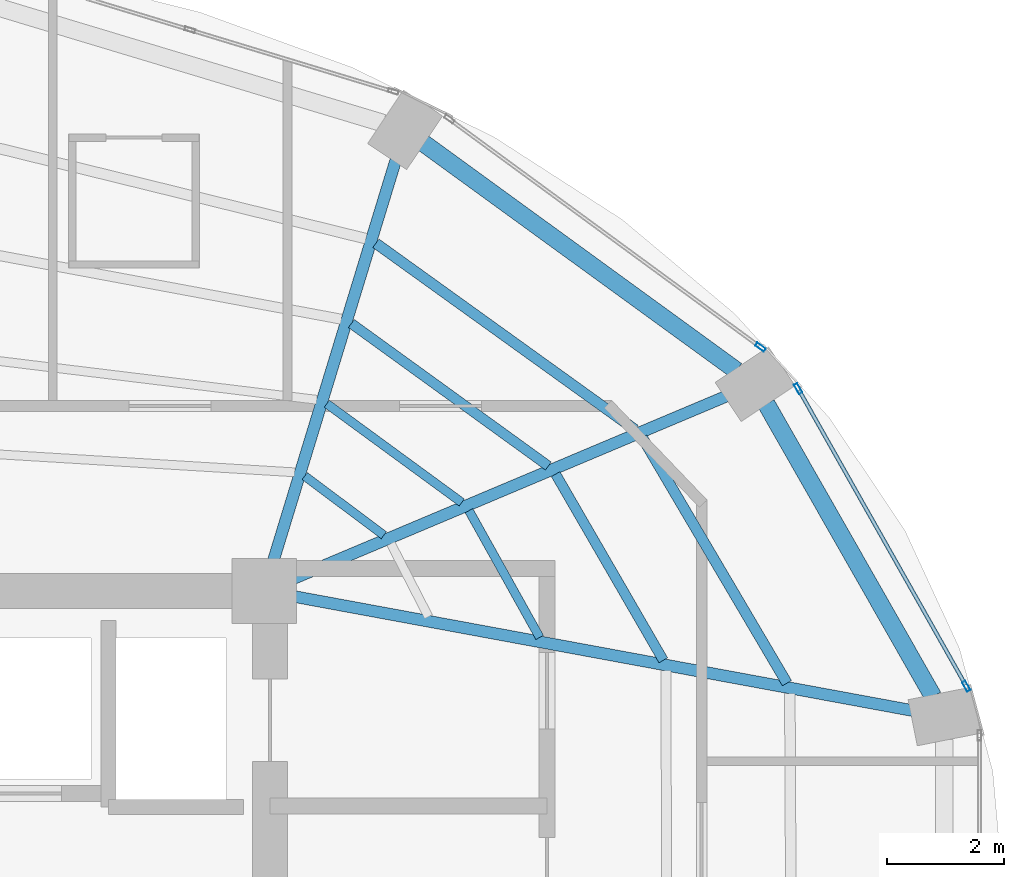
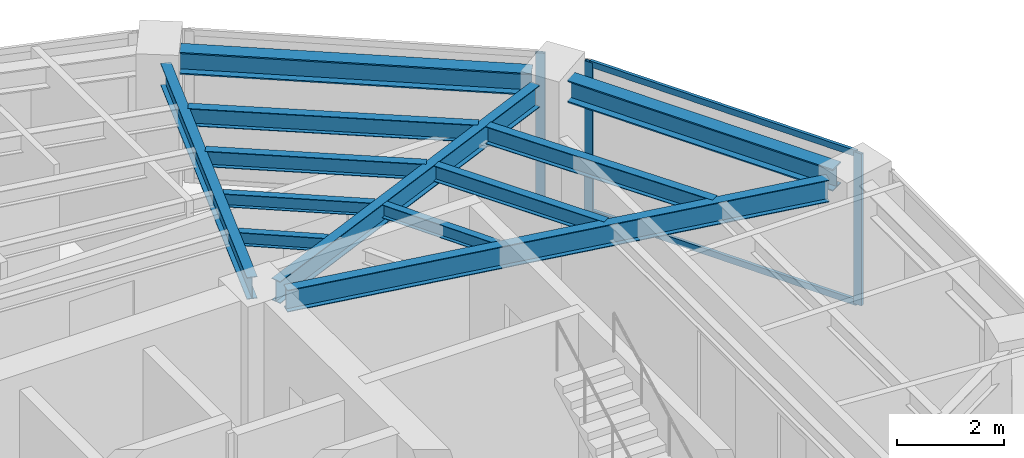
# One storey, part 15 of 23: 12 beams, 5 members, 2 elements without a shape of their own.
"""IFC4 building model written with IfcOpenShell, lengths in metres."""

from ifc_helpers import new_model, si_unit, direction, frame, origin, origin_2d, place, context, subcontext, project, spatial, hollow_rectangle, i_section, extrude, material, layer, layer_set, material_profile, profile_set, type_object, element, aggregate, save


model = new_model("IFC4")

# Units and contexts
model_context = context("Model", 3, precision=1e-05, world=origin(), true_north=direction((0.0, 1.0)))
body_context = subcontext(model_context, "Body", "Model", "MODEL_VIEW")
ifc_project = project(units=[si_unit("LENGTHUNIT", "METRE"), si_unit("AREAUNIT", "SQUARE_METRE"), si_unit("VOLUMEUNIT", "CUBIC_METRE"), si_unit("PLANEANGLEUNIT", "RADIAN"), si_unit("MASSUNIT", "GRAM", prefix="KILO")], contexts=[model_context])

# Site, building, storey
site_placement = place(None, origin())
site = spatial("IfcSite", under=ifc_project, at=site_placement, CompositionType="ELEMENT")
building_placement = place(site_placement, origin())
building = spatial("IfcBuilding", under=site, at=building_placement, Name="Lazwardi Medical Tower", CompositionType="ELEMENT")
storey_placement = place(building_placement, frame((0.0, 0.0, 194.83203125)))
storey = spatial("IfcBuildingStorey", under=building, at=storey_placement, Name="L50", CompositionType="ELEMENT", Elevation=194.83203125)

# Beams
ifc_material_1 = material(Name="Steel S355", Category="steel")
ifc_material_profile_1 = material_profile(ifc_material_1, i_section(OverallWidth=0.300048828125, OverallDepth=0.5, WebThickness=0.014404296875, FlangeThickness=0.028076171875, at=origin_2d()), Name="HEB 500")
ifc_profile_set_1 = profile_set([ifc_material_profile_1], Name="Steel S355")
beam_type_1 = type_object("IfcBeamType", Name="BM-RB-Z4", PredefinedType="BEAM", material=ifc_profile_set_1)
beam_1_placement = place(storey_placement, frame((56.991943359375, 33.8017578125, 3.197998046875), z_axis=(-0.495125273299, 0.868821594886, 0.0), x_axis=(-0.868821594886, -0.495125273299, 0.0)))
element("IfcBeam", 1, at=beam_1_placement, inside=storey, type_object=beam_type_1, Name="Ring beam RB-05 B05 L50", PredefinedType="BEAM", context=body_context, shape_type="SweptSolid", body=[
    extrude(i_section(OverallWidth=0.300048828125, OverallDepth=0.5, WebThickness=0.014404296875, FlangeThickness=0.028076171875, at=origin_2d()), origin(), (0.0, 0.0, 1.0), 5.734130859375),
])
beam_2_placement = place(storey_placement, frame((53.644287109375, 39.351806640625, 3.197998046875), z_axis=(-0.808889916254, 0.587960120571, 0.0), x_axis=(-0.587960120571, -0.808889916254, 0.0)))
element("IfcBeam", 2, at=beam_2_placement, inside=storey, type_object=beam_type_1, Name="Ring beam RB-05 B06 L50", PredefinedType="BEAM", context=body_context, shape_type="SweptSolid", body=[
    extrude(i_section(OverallWidth=0.300048828125, OverallDepth=0.5, WebThickness=0.014404296875, FlangeThickness=0.028076171875, at=origin_2d()), origin(), (0.0, 0.0, 1.0), 6.587158203125),
])
ifc_material_profile_2 = material_profile(ifc_material_1, i_section(OverallWidth=0.199951171875, OverallDepth=0.5, WebThickness=0.01025390625, FlangeThickness=0.01611328125, at=origin_2d()), Name="IPE 500")
ifc_profile_set_2 = profile_set([ifc_material_profile_2], Name="Steel S355")
beam_type_2 = type_object("IfcBeamType", Name="BM-RG-W3", PredefinedType="BEAM", material=ifc_profile_set_2)
beam_3_placement = place(storey_placement, frame((56.658935546875, 33.56005859375, 3.197998046875), z_axis=(-0.983409341459, 0.181400295288, 0.0), x_axis=(-0.181400295288, -0.983409341459, 0.0)))
element("IfcBeam", 3, at=beam_3_placement, inside=storey, type_object=beam_type_2, Name="Radial girder RG-04 R05 L50", PredefinedType="BEAM", context=body_context, shape_type="SweptSolid", body=[
    extrude(i_section(OverallWidth=0.199951171875, OverallDepth=0.5, WebThickness=0.01025390625, FlangeThickness=0.01611328125, at=origin_2d()), origin(), (0.0, 0.0, 1.0), 10.71044921875),
])
beam_4_placement = place(storey_placement, frame((53.466796875, 38.914794921875, 3.197998046875), z_axis=(-0.921526791352, -0.388314785735, 0.0), x_axis=(0.388314785735, -0.921526791352, 0.0)))
element("IfcBeam", 4, at=beam_4_placement, inside=storey, type_object=beam_type_2, Name="Radial girder RG-04 R06 L50", PredefinedType="BEAM", context=body_context, shape_type="SweptSolid", body=[
    extrude(i_section(OverallWidth=0.199951171875, OverallDepth=0.5, WebThickness=0.01025390625, FlangeThickness=0.01611328125, at=origin_2d()), origin(), (0.0, 0.0, 1.0), 8.001708984375),
])
beam_5_placement = place(storey_placement, frame((47.843994140625, 42.9423828125, 3.197998046875), z_axis=(-0.292276716539, -0.956333791607, 0.0), x_axis=(0.956333791607, -0.292276716539, 0.0)))
element("IfcBeam", 5, at=beam_5_placement, inside=storey, type_object=beam_type_2, Name="Radial girder RG-04 R07 L50", PredefinedType="BEAM", context=body_context, shape_type="SweptSolid", body=[
    extrude(i_section(OverallWidth=0.199951171875, OverallDepth=0.5, WebThickness=0.01025390625, FlangeThickness=0.01611328125, at=origin_2d()), origin(), (0.0, 0.0, 1.0), 7.142822265625),
])
ifc_material_profile_3 = material_profile(ifc_material_1, i_section(OverallWidth=0.179931640625, OverallDepth=0.39990234375, WebThickness=0.008544921875, FlangeThickness=0.013427734375, at=origin_2d()), Name="IPE 400")
ifc_profile_set_3 = profile_set([ifc_material_profile_3], Name="Steel S355")
beam_type_3 = type_object("IfcBeamType", Name="BM-SJ-01", PredefinedType="JOIST", material=ifc_profile_set_3)
beam_6_placement = place(storey_placement, frame((54.504150390625, 34.030517578125, 3.248046875), z_axis=(-0.507710311367, 0.861527851977, 0.0), x_axis=(-0.861527851977, -0.507710311367, 0.0)))
element("IfcBeam", 6, at=beam_6_placement, inside=storey, type_object=beam_type_3, Name="Secondary joist SJ-01 R1 B05 L50", PredefinedType="JOIST", context=body_context, shape_type="SweptSolid", body=[
    extrude(i_section(OverallWidth=0.179931640625, OverallDepth=0.39990234375, WebThickness=0.008544921875, FlangeThickness=0.013427734375, at=origin_2d()), origin(), (0.0, 0.0, 1.0), 4.852783203125),
])
beam_7_placement = place(storey_placement, frame((51.914794921875, 38.348876953125, 3.248046875), z_axis=(-0.811889581337, 0.58381102055, 0.0), x_axis=(-0.58381102055, -0.811889581337, 0.0)))
element("IfcBeam", 7, at=beam_7_placement, inside=storey, type_object=beam_type_3, Name="Secondary joist SJ-01 R1 B06 L50", PredefinedType="JOIST", context=body_context, shape_type="SweptSolid", body=[
    extrude(i_section(OverallWidth=0.179931640625, OverallDepth=0.39990234375, WebThickness=0.008544921875, FlangeThickness=0.013427734375, at=origin_2d()), origin(), (0.0, 0.0, 1.0), 5.433349609375),
])
ifc_material_profile_4 = material_profile(ifc_material_1, i_section(OverallWidth=0.169921875, OverallDepth=0.360107421875, WebThickness=0.008056640625, FlangeThickness=0.0126953125, at=origin_2d()), Name="IPE 360")
ifc_profile_set_4 = profile_set([ifc_material_profile_4], Name="Steel S355")
beam_type_4 = type_object("IfcBeamType", Name="BM-SJ-02", PredefinedType="JOIST", material=ifc_profile_set_4)
beam_8_placement = place(storey_placement, frame((52.398193359375, 34.41943359375, 3.26806640625), z_axis=(-0.500655179543, 0.865646805109, 0.0), x_axis=(-0.865646805109, -0.500655179543, 0.0)))
element("IfcBeam", 8, at=beam_8_placement, inside=storey, type_object=beam_type_4, Name="Secondary joist SJ-02 R2 B05 L50", PredefinedType="JOIST", context=body_context, shape_type="SweptSolid", body=[
    extrude(i_section(OverallWidth=0.169921875, OverallDepth=0.360107421875, WebThickness=0.008056640625, FlangeThickness=0.0126953125, at=origin_2d()), origin(), (0.0, 0.0, 1.0), 3.662109375),
])
beam_9_placement = place(storey_placement, frame((50.440185546875, 37.7275390625, 3.26806640625), z_axis=(-0.810164229155, 0.586202969796, 0.0), x_axis=(-0.586202969796, -0.810164229155, 0.0)))
element("IfcBeam", 9, at=beam_9_placement, inside=storey, type_object=beam_type_4, Name="Secondary joist SJ-02 R2 B06 L50", PredefinedType="JOIST", context=body_context, shape_type="SweptSolid", body=[
    extrude(i_section(OverallWidth=0.169921875, OverallDepth=0.360107421875, WebThickness=0.008056640625, FlangeThickness=0.0126953125, at=origin_2d()), origin(), (0.0, 0.0, 1.0), 4.14013671875),
])
ifc_material_profile_5 = material_profile(ifc_material_1, i_section(OverallWidth=0.14990234375, OverallDepth=0.300048828125, WebThickness=0.007080078125, FlangeThickness=0.0107421875, at=origin_2d()), Name="IPE 300")
ifc_profile_set_5 = profile_set([ifc_material_profile_5], Name="Steel S355")
beam_type_5 = type_object("IfcBeamType", Name="BM-SJ-03", PredefinedType="JOIST", material=ifc_profile_set_5)
beam_10_placement = place(storey_placement, frame((50.29296875, 34.80859375, 3.2978515625), z_axis=(-0.487092942089, 0.873350139272, 0.0), x_axis=(-0.873350139272, -0.487092942089, 0.0)))
element("IfcBeam", 10, at=beam_10_placement, inside=storey, type_object=beam_type_5, Name="Secondary joist SJ-03 R3 B05 L50", PredefinedType="JOIST", context=body_context, shape_type="SweptSolid", body=[
    extrude(i_section(OverallWidth=0.14990234375, OverallDepth=0.300048828125, WebThickness=0.007080078125, FlangeThickness=0.0107421875, at=origin_2d()), origin(), (0.0, 0.0, 1.0), 2.471923828125),
])
beam_11_placement = place(storey_placement, frame((48.9658203125, 37.106689453125, 3.2978515625), z_axis=(-0.80703431267, 0.59050454543, 0.0), x_axis=(-0.59050454543, -0.80703431267, 0.0)))
element("IfcBeam", 11, at=beam_11_placement, inside=storey, type_object=beam_type_5, Name="Secondary joist SJ-03 R3 B06 L50", PredefinedType="JOIST", context=body_context, shape_type="SweptSolid", body=[
    extrude(i_section(OverallWidth=0.14990234375, OverallDepth=0.300048828125, WebThickness=0.007080078125, FlangeThickness=0.0107421875, at=origin_2d()), origin(), (0.0, 0.0, 1.0), 2.846923828125),
])
beam_12_placement = place(storey_placement, frame((47.63916015625, 36.548095703125, 3.2978515625), z_axis=(-0.800365301971, 0.599512621553, 0.0), x_axis=(-0.599512621553, -0.800365301971, 0.0)))
element("IfcBeam", 12, at=beam_12_placement, inside=storey, type_object=beam_type_5, Name="Secondary joist SJ-03 R4 B06 L50", PredefinedType="JOIST", context=body_context, shape_type="SweptSolid", body=[
    extrude(i_section(OverallWidth=0.14990234375, OverallDepth=0.300048828125, WebThickness=0.007080078125, FlangeThickness=0.0107421875, at=origin_2d()), origin(), (0.0, 0.0, 1.0), 1.68359375),
])

# Curtain wall, members
ifc_material_2 = material(Name="Anodised bronze aluminium and solar control glazing", Category="aluminium")
ifc_layer = layer(ifc_material_2, 0.18994140625)
ifc_layer_set = layer_set([ifc_layer], Name="Anodised bronze aluminium and solar control glazing")
curtain_wall_type = type_object("IfcCurtainWallType", Name="CW-SYS-04", PredefinedType="NOTDEFINED", material=ifc_layer_set)
curtain_wall_1_placement = place(storey_placement, origin())
curtain_wall_1 = element("IfcCurtainWall", 13, at=curtain_wall_1_placement, inside=storey, type_object=curtain_wall_type, Name="L50 Unitised bronze curtain wall CW-04", PredefinedType="NOTDEFINED")
ifc_material_3 = material(Name="Anodised bronze aluminium", Category="aluminium")
ifc_material_profile_6 = material_profile(ifc_material_3, hollow_rectangle(XDim=0.06494140625, YDim=0.179931640625, WallThickness=0.00390625, at=origin_2d()), Name="ALU-MULLION 180x65x4")
ifc_profile_set_6 = profile_set([ifc_material_profile_6], Name="Anodised bronze aluminium")
member_type_1 = type_object("IfcMemberType", Name="CW-MUL-03", PredefinedType="MULLION", material=ifc_profile_set_6)
member_1_placement = place(storey_placement, frame((57.557373046875, 33.978271484375, 0.0), z_axis=(0.0, 0.0, 1.0), x_axis=(-0.870651436011, -0.491900474661, 0.0)))
member_1 = element("IfcMember", 14, at=member_1_placement, type_object=member_type_1, Name="CW-04 mullion 1", PredefinedType="MULLION", context=body_context, shape_type="SweptSolid", body=[
    extrude(hollow_rectangle(XDim=0.06494140625, YDim=0.179931640625, WallThickness=0.00390625, at=origin_2d()), origin(), (0.0, 0.0, 1.0), 3.447998046875),
])
member_2_placement = place(storey_placement, frame((54.6943359375, 39.04541015625, 0.0), z_axis=(0.0, 0.0, 1.0), x_axis=(-0.870651436011, -0.491900474661, 0.0)))
member_2 = element("IfcMember", 15, at=member_2_placement, type_object=member_type_1, Name="CW-04 mullion 2", PredefinedType="MULLION", context=body_context, shape_type="SweptSolid", body=[
    extrude(hollow_rectangle(XDim=0.06494140625, YDim=0.179931640625, WallThickness=0.00390625, at=origin_2d()), origin(), (0.0, 0.0, 1.0), 3.447998046875),
])

# Curtain wall, member
curtain_wall_2_placement = place(storey_placement, origin())
curtain_wall_2 = element("IfcCurtainWall", 16, at=curtain_wall_2_placement, inside=storey, type_object=curtain_wall_type, Name="L50 Unitised bronze curtain wall CW-04", PredefinedType="NOTDEFINED")
member_3_placement = place(storey_placement, frame((54.052001953125, 39.751708984375, 0.0), z_axis=(0.0, 0.0, 1.0), x_axis=(-0.591268230971, -0.806474971121, 0.0)))
member_3 = element("IfcMember", 17, at=member_3_placement, type_object=member_type_1, Name="CW-04 mullion 1", PredefinedType="MULLION", context=body_context, shape_type="SweptSolid", body=[
    extrude(hollow_rectangle(XDim=0.06494140625, YDim=0.179931640625, WallThickness=0.00390625, at=origin_2d()), origin(), (0.0, 0.0, 1.0), 3.447998046875),
])
aggregate(curtain_wall_2, [member_3])

# Member
ifc_material_profile_7 = material_profile(ifc_material_3, hollow_rectangle(XDim=0.06494140625, YDim=0.139892578125, WallThickness=0.00341796875, at=origin_2d()), Name="ALU-TRANSOM 140x65x3.5")
ifc_profile_set_7 = profile_set([ifc_material_profile_7], Name="Anodised bronze aluminium")
member_type_2 = type_object("IfcMemberType", Name="CW-TRN-03", PredefinedType="USERDEFINED", material=ifc_profile_set_7)
member_4_placement = place(storey_placement, frame((57.541259765625, 34.006591796875, 0.032470703125), z_axis=(-0.491897887635, 0.870652897623, 0.0), x_axis=(-0.870652897623, -0.491897887635, 0.0)))
member_4 = element("IfcMember", 18, at=member_4_placement, type_object=member_type_2, Name="CW-04 transom 1.1", ObjectType="TRANSOM", PredefinedType="USERDEFINED", context=body_context, shape_type="SweptSolid", body=[
    extrude(hollow_rectangle(XDim=0.06494140625, YDim=0.139892578125, WallThickness=0.00341796875, at=origin_2d()), origin(), (0.0, 0.0, 1.0), 5.7548828125),
])

member_5_placement = place(storey_placement, frame((57.541259765625, 34.006591796875, 3.41552734375), z_axis=(-0.491897887635, 0.870652897623, 0.0), x_axis=(-0.870652897623, -0.491897887635, 0.0)))
member_5 = element("IfcMember", 19, at=member_5_placement, type_object=member_type_2, Name="CW-04 transom 1.2", ObjectType="TRANSOM", PredefinedType="USERDEFINED", context=body_context, shape_type="SweptSolid", body=[
    extrude(hollow_rectangle(XDim=0.06494140625, YDim=0.139892578125, WallThickness=0.00341796875, at=origin_2d()), origin(), (0.0, 0.0, 1.0), 5.7548828125),
])

aggregate(curtain_wall_1, [member_1, member_2, member_4, member_5])

save(model, "model.ifc")
